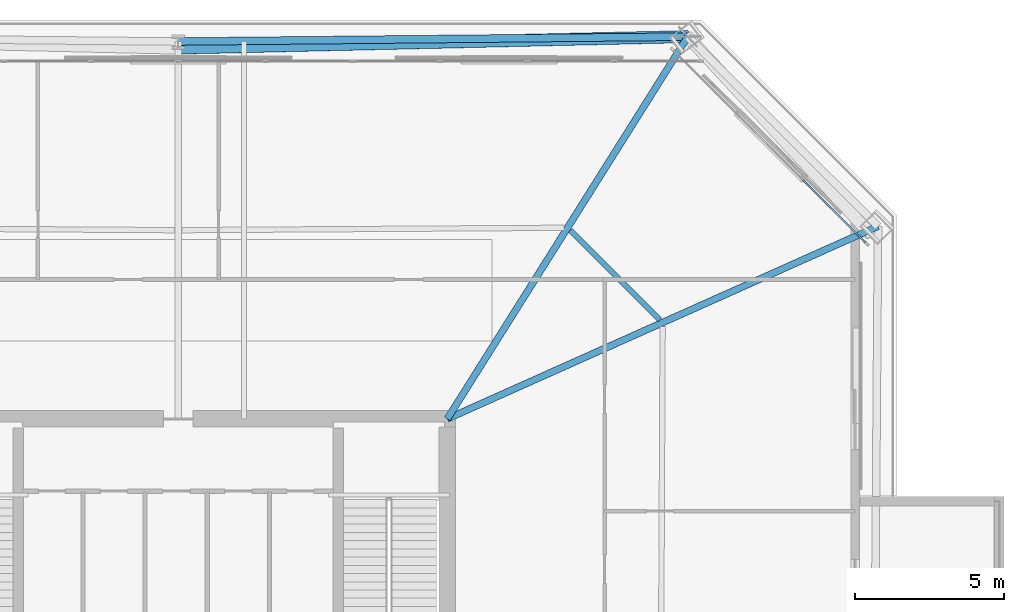
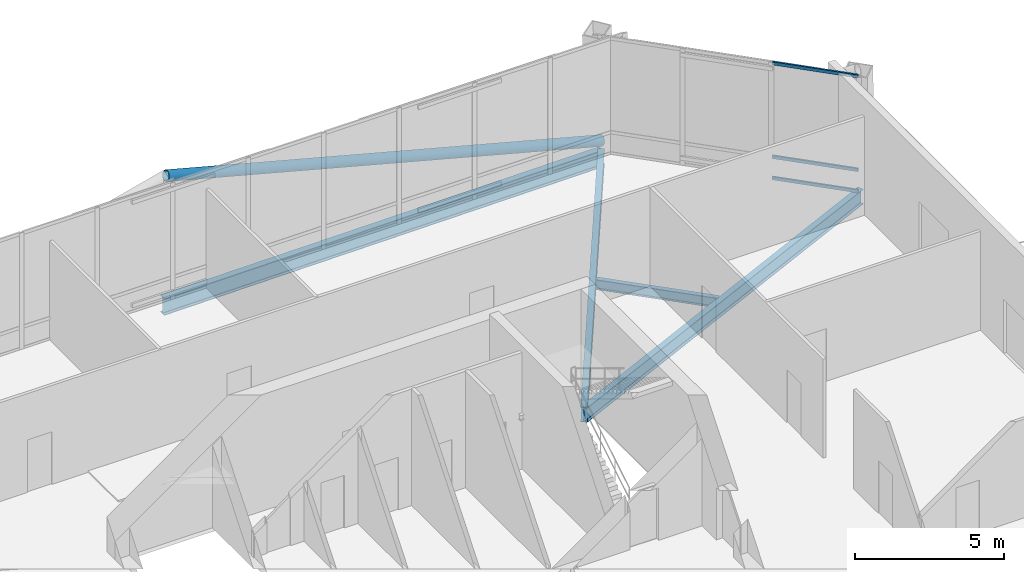
# One storey, part 23 of 34: 4 beams, 4 members, 1 element without a shape of its own.
"""IFC4 building model written with IfcOpenShell, lengths in metres."""

from ifc_helpers import new_model, si_unit, direction, frame, origin, origin_2d, place, context, subcontext, project, spatial, hollow_rectangle, hollow_circle, i_section, extrude, material, layer, layer_set, material_profile, profile_set, type_object, element, aggregate, save


model = new_model("IFC4")

# Units and contexts
model_context = context("Model", 3, precision=1e-05, world=origin(), true_north=direction((0.0, 1.0)))
body_context = subcontext(model_context, "Body", "Model", "MODEL_VIEW")
ifc_project = project(units=[si_unit("LENGTHUNIT", "METRE"), si_unit("AREAUNIT", "SQUARE_METRE"), si_unit("VOLUMEUNIT", "CUBIC_METRE"), si_unit("PLANEANGLEUNIT", "RADIAN"), si_unit("MASSUNIT", "GRAM", prefix="KILO")], contexts=[model_context])

# Site, building, storey
site_placement = place(None, origin())
site = spatial("IfcSite", under=ifc_project, at=site_placement, CompositionType="ELEMENT")
building_placement = place(site_placement, origin())
building = spatial("IfcBuilding", under=site, at=building_placement, Name="Caelvoria Tower", CompositionType="ELEMENT")
storey_placement = place(building_placement, frame((0.0, 0.0, 172.0)))
storey = spatial("IfcBuildingStorey", under=building, at=storey_placement, Name="L45", CompositionType="ELEMENT", Elevation=172.0)

# Curtain wall, members
ifc_material_1 = material(Name="Anodised Bronze Aluminium and Low-E Glass", Category="aluminium")
ifc_layer = layer(ifc_material_1, 0.2099609375, Name="Anodised Bronze Aluminium and Low-E Glass")
ifc_layer_set = layer_set([ifc_layer], Name="CW System 3 Sky Lobby Double-Height Acoustic Facade - Anodised Bronze Aluminium and Low-E Glass")
curtain_wall_type = type_object("IfcCurtainWallType", Name="CW System 3 Sky Lobby Double-Height Acoustic Facade", PredefinedType="NOTDEFINED", material=ifc_layer_set)
curtain_wall_placement = place(storey_placement, origin())
curtain_wall = element("IfcCurtainWall", 1, at=curtain_wall_placement, inside=storey, type_object=curtain_wall_type, Name="CW-03 Curtain Wall L45-E3", PredefinedType="NOTDEFINED")
ifc_material_2 = material(Name="Anodised Bronze Architectural Aluminium", Category="aluminium")
ifc_material_profile_1 = material_profile(ifc_material_2, hollow_rectangle(XDim=0.06494140625, YDim=0.1298828125, WallThickness=0.00341796875, at=origin_2d()), Name="Anodised Bronze Architectural Aluminium")
ifc_profile_set_1 = profile_set([ifc_material_profile_1], Name="CW_TRAN_65X130 - Anodised Bronze Architectural Aluminium")
member_type_1 = type_object("IfcMemberType", Name="Curtain Wall Transom 65x130 Bronze Aluminium", PredefinedType="USERDEFINED", material=ifc_profile_set_1)
member_1_placement = place(storey_placement, frame((68.99462890625, 45.893798828125, 0.032470703125), z_axis=(-0.707147902804, 0.707065657177, 0.0), x_axis=(-0.707065657177, -0.707147902804, 0.0)))
member_1 = element("IfcMember", 2, at=member_1_placement, type_object=member_type_1, Name="CW-03 transom 1.1", ObjectType="TRANSOM", PredefinedType="USERDEFINED", context=body_context, shape_type="SweptSolid", body=[
    extrude(hollow_rectangle(XDim=0.06494140625, YDim=0.1298828125, WallThickness=0.00341796875, at=origin_2d()), origin(), (0.0, 0.0, 1.0), 2.968505859375),
])
member_2_placement = place(storey_placement, frame((68.99462890625, 45.893798828125, 0.89990234375), z_axis=(-0.707147902804, 0.707065657177, 0.0), x_axis=(-0.707065657177, -0.707147902804, 0.0)))
member_2 = element("IfcMember", 3, at=member_2_placement, type_object=member_type_1, Name="CW-03 transom 1.2", ObjectType="TRANSOM", PredefinedType="USERDEFINED", context=body_context, shape_type="SweptSolid", body=[
    extrude(hollow_rectangle(XDim=0.06494140625, YDim=0.1298828125, WallThickness=0.00341796875, at=origin_2d()), origin(), (0.0, 0.0, 1.0), 2.968505859375),
])
member_3_placement = place(storey_placement, frame((68.99462890625, 45.893798828125, 4.7275390625), z_axis=(-0.707147902804, 0.707065657177, 0.0), x_axis=(-0.707065657177, -0.707147902804, 0.0)))
member_3 = element("IfcMember", 4, at=member_3_placement, type_object=member_type_1, Name="CW-03 transom 1.3", ObjectType="TRANSOM", PredefinedType="USERDEFINED", context=body_context, shape_type="SweptSolid", body=[
    extrude(hollow_rectangle(XDim=0.06494140625, YDim=0.1298828125, WallThickness=0.00341796875, at=origin_2d()), origin(), (0.0, 0.0, 1.0), 2.968505859375),
])
aggregate(curtain_wall, [member_1, member_2, member_3])

# Beams
ifc_material_3 = material(Name="Structural Steel ASTM A992 Gr.50", Category="steel")
ifc_material_profile_2 = material_profile(ifc_material_3, i_section(OverallWidth=0.25390625, OverallDepth=0.68798828125, WebThickness=0.01318359375, FlangeThickness=0.02099609375, FilletRadius=0.01904296875, at=origin_2d()), Name="Structural Steel ASTM A992 Gr.50")
ifc_profile_set_2 = profile_set([ifc_material_profile_2], Name="W690X152 - Structural Steel ASTM A992 Gr.50")
beam_type_1 = type_object("IfcBeamType", Name="Perimeter Spandrel Girder W690X152", PredefinedType="BEAM", material=ifc_profile_set_2)
beam_1_placement = place(storey_placement, frame((63.04345703125, 52.783203125, -0.6640625), z_axis=(-0.999954221893, -0.009568391638, 0.0), x_axis=(0.009568391638, -0.999954221893, 0.0)))
element("IfcBeam", 5, at=beam_1_placement, inside=storey, type_object=beam_type_1, Name="Perimeter Spandrel Girder L45-06", PredefinedType="BEAM", context=body_context, shape_type="SweptSolid", body=[
    extrude(i_section(OverallWidth=0.25390625, OverallDepth=0.68798828125, WebThickness=0.01318359375, FlangeThickness=0.02099609375, FilletRadius=0.01904296875, at=origin_2d()), origin(), (0.0, 0.0, 1.0), 17.044189453125),
])
ifc_material_profile_3 = material_profile(ifc_material_3, i_section(OverallWidth=0.22802734375, OverallDepth=0.60302734375, WebThickness=0.010498046875, FlangeThickness=0.014892578125, FilletRadius=0.01806640625, at=origin_2d()), Name="Structural Steel ASTM A992 Gr.50")
ifc_profile_set_3 = profile_set([ifc_material_profile_3], Name="W610X101 - Structural Steel ASTM A992 Gr.50")
beam_type_2 = type_object("IfcBeamType", Name="Primary Floor Girder W610X101", PredefinedType="BEAM", material=ifc_profile_set_3)
beam_2_placement = place(storey_placement, frame((55.0, 40.0, -0.62158203125), z_axis=(0.912899572599, 0.408184235792, 0.0), x_axis=(-0.408184235792, 0.912899572599, 0.0)))
element("IfcBeam", 6, at=beam_2_placement, inside=storey, type_object=beam_type_2, Name="Primary Floor Girder L45-05", PredefinedType="BEAM", context=body_context, shape_type="SweptSolid", body=[
    extrude(i_section(OverallWidth=0.22802734375, OverallDepth=0.60302734375, WebThickness=0.010498046875, FlangeThickness=0.014892578125, FilletRadius=0.01806640625, at=origin_2d()), origin(), (0.0, 0.0, 1.0), 15.78173828125),
])
beam_3_placement = place(storey_placement, frame((55.0, 40.0, -0.62158203125), z_axis=(0.532565439533, 0.84638883063, 0.0), x_axis=(-0.84638883063, 0.532565439533, 0.0)))
element("IfcBeam", 7, at=beam_3_placement, inside=storey, type_object=beam_type_2, Name="Primary Floor Girder L45-06", PredefinedType="BEAM", context=body_context, shape_type="SweptSolid", body=[
    extrude(i_section(OverallWidth=0.22802734375, OverallDepth=0.60302734375, WebThickness=0.010498046875, FlangeThickness=0.014892578125, FilletRadius=0.01806640625, at=origin_2d()), origin(), (0.0, 0.0, 1.0), 15.103271484375),
])
ifc_material_profile_4 = material_profile(ifc_material_3, i_section(OverallWidth=0.177978515625, OverallDepth=0.406982421875, WebThickness=0.0078125, FlangeThickness=0.0126953125, FilletRadius=0.013916015625, at=origin_2d()), Name="Structural Steel ASTM A992 Gr.50")
ifc_profile_set_4 = profile_set([ifc_material_profile_4], Name="W410X60 - Structural Steel ASTM A992 Gr.50")
beam_type_3 = type_object("IfcBeamType", Name="Secondary Floor Beam W410X60", PredefinedType="BEAM", material=ifc_profile_set_4)
beam_4_placement = place(storey_placement, frame((62.114990234375, 43.30908203125, -0.5234375), z_axis=(-0.70834305441, 0.705868342731, 0.0), x_axis=(-0.705868342731, -0.70834305441, 0.0)))
element("IfcBeam", 8, at=beam_4_placement, inside=storey, type_object=beam_type_3, Name="Secondary Floor Beam L45-05", PredefinedType="BEAM", context=body_context, shape_type="SweptSolid", body=[
    extrude(i_section(OverallWidth=0.177978515625, OverallDepth=0.406982421875, WebThickness=0.0078125, FlangeThickness=0.0126953125, FilletRadius=0.013916015625, at=origin_2d()), origin(), (0.0, 0.0, 1.0), 4.2421875),
])

# Member
ifc_material_4 = material(Name="Structural Steel ASTM A572 Gr.50", Category="steel")
ifc_material_profile_5 = material_profile(ifc_material_4, hollow_circle(Radius=0.202880859375, WallThickness=0.01611328125, at=origin_2d()), Name="Structural Steel ASTM A572 Gr.50")
ifc_profile_set_5 = profile_set([ifc_material_profile_5], Name="CHS406X16 - Structural Steel ASTM A572 Gr.50")
member_type_2 = type_object("IfcMemberType", Name="Upper Perimeter Mega Brace CHS406X16", PredefinedType="BRACE", material=ifc_profile_set_5)
member_4_placement = place(storey_placement, frame((63.04345703125, 52.783203125, 0.0), z_axis=(-0.962916336114, -0.021655617357, 0.268929663447), x_axis=(0.022483929395, -0.999747204507, 0.0)))
element("IfcMember", 9, at=member_4_placement, inside=storey, type_object=member_type_2, Name="Perimeter Cardinal Mega Brace L45 NA", PredefinedType="BRACE", context=body_context, shape_type="SweptSolid", body=[
    extrude(hollow_circle(Radius=0.202880859375, WallThickness=0.01611328125, at=origin_2d()), origin(), (0.0, 0.0, 1.0), 17.699951171875),
])

save(model, "model.ifc")
